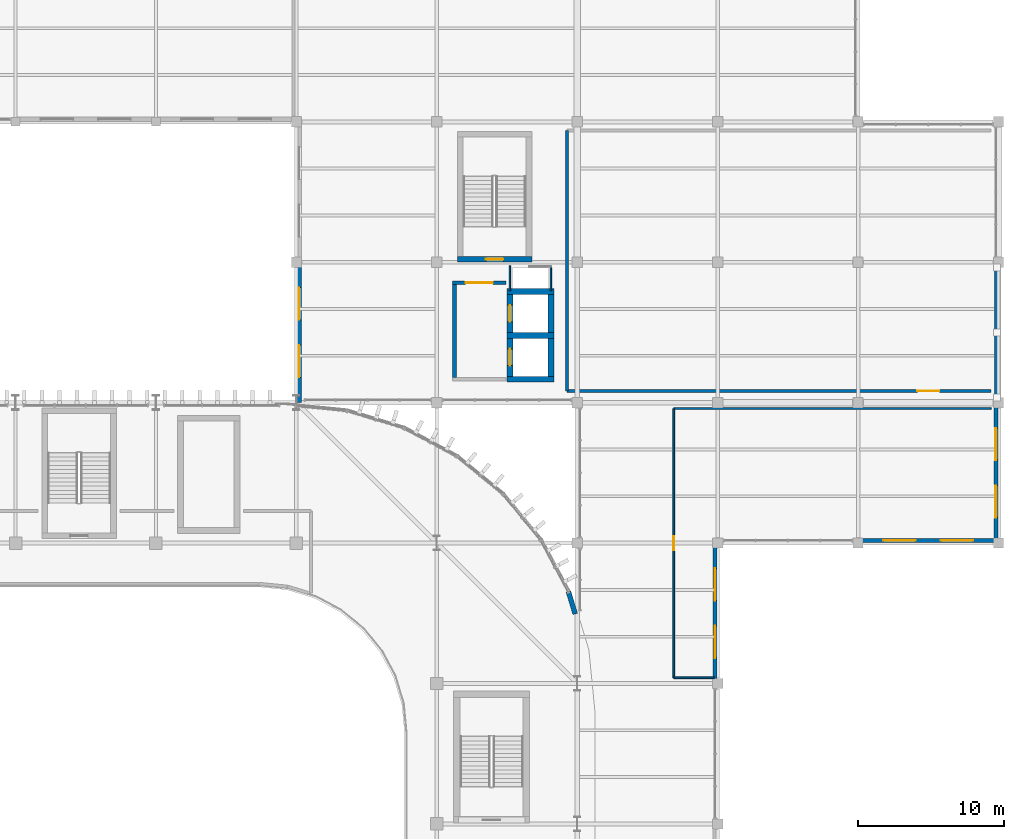
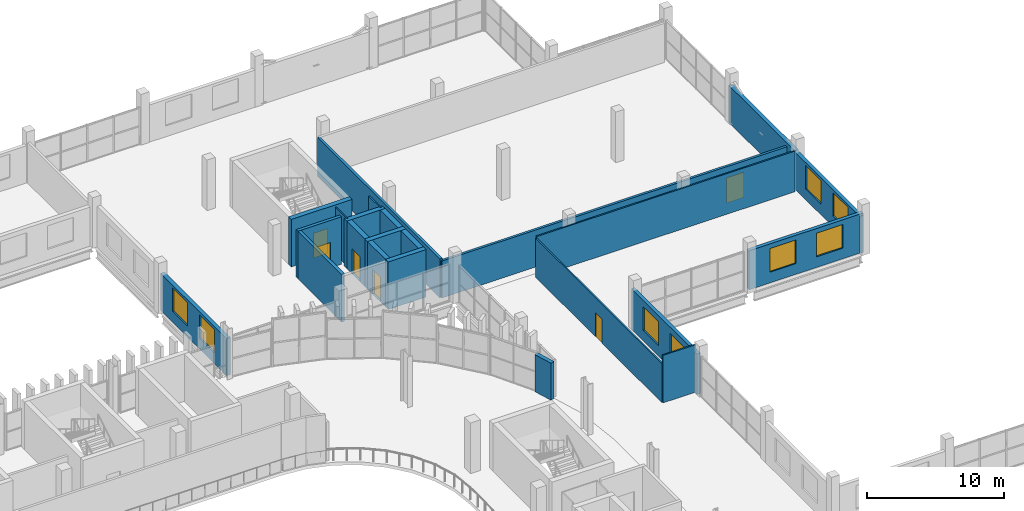
# One storey, part 63 of 92: 23 walls, 8 windows, 6 doors, 14 openings.
"""IFC4 building model written with IfcOpenShell, lengths in metres."""

from ifc_helpers import new_model, si_unit, direction, frame, frame_2d, origin, place, context, subcontext, project, spatial, rectangle, extrude, material, layer, layer_set, type_object, element, fill, save


model = new_model("IFC4")

# Units and contexts
model_context = context("Model", 3, precision=1e-05, world=origin(), true_north=direction((0.0, 1.0)))
body_context = subcontext(model_context, "Body", "Model", "MODEL_VIEW")
ifc_project = project(units=[si_unit("LENGTHUNIT", "METRE"), si_unit("AREAUNIT", "SQUARE_METRE"), si_unit("VOLUMEUNIT", "CUBIC_METRE"), si_unit("PLANEANGLEUNIT", "RADIAN"), si_unit("MASSUNIT", "GRAM", prefix="KILO")], contexts=[model_context])

# Site, building, storey
site_placement = place(None, origin())
site = spatial("IfcSite", under=ifc_project, at=site_placement, CompositionType="ELEMENT")
building_placement = place(site_placement, origin())
building = spatial("IfcBuilding", under=site, at=building_placement, Name="Caelomonte Colonnade Arena", CompositionType="ELEMENT")
storey_placement = place(building_placement, frame((0.0, 0.0, 9.60009765625)))
storey = spatial("IfcBuildingStorey", under=building, at=storey_placement, Name="L02", CompositionType="ELEMENT", Elevation=9.60009765625)

# Wall, openings, windows
ifc_material_1 = material(Name="Precast concrete C40/50", Category="concrete")
ifc_layer_1 = layer(ifc_material_1, 0.2900390625)
ifc_layer_set_1 = layer_set([ifc_layer_1], Name="Precast concrete C40/50")
wall_type_1 = type_object("IfcWallType", Name="ENV-WL-EXT29", PredefinedType="SOLIDWALL", material=ifc_layer_set_1)
wall_1_placement = place(storey_placement, frame((172.6201171875, 96.0, 0.0), z_axis=(0.0, 0.0, 1.0), x_axis=(0.0, 1.0, 0.0)))
wall_1 = element("IfcWall", 1, at=wall_1_placement, inside=storey, type_object=wall_type_1, Name="L02 exterior wall EW-L02-0254", PredefinedType="SOLIDWALL", context=body_context, shape_type="SweptSolid", body=[
    extrude(rectangle(XDim=9.60009765625, YDim=0.2900390625, at=frame_2d((4.800048828125, 0.0))), origin(), (0.0, 0.0, 1.0), 3.61279296875),
])
opening_1_placement = place(wall_1_placement, frame((3.933349609375, 0.0, 0.949951171875), z_axis=(0.0, 0.0, 1.0), x_axis=(-1.0, 0.0, 0.0)))
opening_1 = element("IfcOpeningElement", 2, at=opening_1_placement, cuts=wall_1, Name="Opening WN-05", PredefinedType="OPENING", context=body_context, shape_type="SweptSolid", body=[
    extrude(rectangle(XDim=2.199951171875, YDim=2.10009765625, at=frame_2d((1.10009765625, 1.050048828125))), frame((0.0, 0.155029296875, 0.0), z_axis=(0.0, -1.0, 0.0), x_axis=(1.0, 0.0, 0.0)), (0.0, 0.0, 1.0), 0.31005859375),
])
opening_2_placement = place(wall_1_placement, frame((7.86669921875, 0.0, 0.949951171875), z_axis=(0.0, 0.0, 1.0), x_axis=(-1.0, 0.0, 0.0)))
opening_2 = element("IfcOpeningElement", 3, at=opening_2_placement, cuts=wall_1, Name="Opening WN-05", PredefinedType="OPENING", context=body_context, shape_type="SweptSolid", body=[
    extrude(rectangle(XDim=2.199951171875, YDim=2.10009765625, at=frame_2d((1.10009765625, 1.050048828125))), frame((0.0, 0.155029296875, 0.0), z_axis=(0.0, -1.0, 0.0), x_axis=(1.0, 0.0, 0.0)), (0.0, 0.0, 1.0), 0.31005859375),
])
ifc_material_2 = material(Name="Solar-control bronze low-E double glazing", Category="glass")
window_type = type_object("IfcWindowType", Name="ENV-WN-V4B", PartitioningType="DOUBLE_PANEL_VERTICAL", PredefinedType="WINDOW", material=ifc_material_2)
window_1_placement = place(opening_1_placement, origin())
window_1 = element("IfcWindow", 4, at=window_1_placement, inside=storey, type_object=window_type, Name="L02 facade window 174", OverallHeight=2.10009765625, OverallWidth=2.199951171875, PartitioningType="SINGLE_PANEL", PredefinedType="WINDOW", context=body_context, shape_type="SweptSolid", body=[
    extrude(rectangle(XDim=2.199951171875, YDim=2.10009765625, at=frame_2d((1.10009765625, 1.050048828125))), frame((0.0, 0.030029296875, 0.0), z_axis=(0.0, -1.0, 0.0), x_axis=(1.0, 0.0, 0.0)), (0.0, 0.0, 1.0), 0.06005859375),
])
fill(opening_1, window_1)
window_2_placement = place(opening_2_placement, origin())
window_2 = element("IfcWindow", 5, at=window_2_placement, inside=storey, type_object=window_type, Name="L02 facade window 175", OverallHeight=2.10009765625, OverallWidth=2.199951171875, PartitioningType="SINGLE_PANEL", PredefinedType="WINDOW", context=body_context, shape_type="SweptSolid", body=[
    extrude(rectangle(XDim=2.199951171875, YDim=2.10009765625, at=frame_2d((1.10009765625, 1.050048828125))), frame((0.0, 0.030029296875, 0.0), z_axis=(0.0, -1.0, 0.0), x_axis=(1.0, 0.0, 0.0)), (0.0, 0.0, 1.0), 0.06005859375),
])
fill(opening_2, window_2)

wall_2_placement = place(storey_placement, frame((182.39990234375, 105.780029296875, 0.0), z_axis=(0.0, 0.0, 1.0), x_axis=(1.0, 0.0, 0.0)))
wall_2 = element("IfcWall", 6, at=wall_2_placement, inside=storey, type_object=wall_type_1, Name="L02 exterior wall EW-L02-0255", PredefinedType="SOLIDWALL", context=body_context, shape_type="SweptSolid", body=[
    extrude(rectangle(XDim=9.60009765625, YDim=0.2900390625, at=frame_2d((4.800048828125, 0.0))), origin(), (0.0, 0.0, 1.0), 3.465576171875),
])
opening_3_placement = place(wall_2_placement, frame((3.933349609375, 0.0, 0.949951171875), z_axis=(0.0, 0.0, 1.0), x_axis=(-1.0, 0.0, 0.0)))
opening_3 = element("IfcOpeningElement", 7, at=opening_3_placement, cuts=wall_2, Name="Opening WN-05", PredefinedType="OPENING", context=body_context, shape_type="SweptSolid", body=[
    extrude(rectangle(XDim=2.199951171875, YDim=2.10009765625, at=frame_2d((1.10009765625, 1.050048828125))), frame((0.0, 0.155029296875, 0.0), z_axis=(0.0, -1.0, 0.0), x_axis=(1.0, 0.0, 0.0)), (0.0, 0.0, 1.0), 0.31005859375),
])
opening_4_placement = place(wall_2_placement, frame((7.86669921875, 0.0, 0.949951171875), z_axis=(0.0, 0.0, 1.0), x_axis=(-1.0, 0.0, 0.0)))
opening_4 = element("IfcOpeningElement", 8, at=opening_4_placement, cuts=wall_2, Name="Opening WN-05", PredefinedType="OPENING", context=body_context, shape_type="SweptSolid", body=[
    extrude(rectangle(XDim=2.199951171875, YDim=2.10009765625, at=frame_2d((1.10009765625, 1.050048828125))), frame((0.0, 0.155029296875, 0.0), z_axis=(0.0, -1.0, 0.0), x_axis=(1.0, 0.0, 0.0)), (0.0, 0.0, 1.0), 0.31005859375),
])
window_3_placement = place(opening_3_placement, origin())
window_3 = element("IfcWindow", 9, at=window_3_placement, inside=storey, type_object=window_type, Name="L02 facade window 176", OverallHeight=2.10009765625, OverallWidth=2.199951171875, PartitioningType="SINGLE_PANEL", PredefinedType="WINDOW", context=body_context, shape_type="SweptSolid", body=[
    extrude(rectangle(XDim=2.199951171875, YDim=2.10009765625, at=frame_2d((1.10009765625, 1.050048828125))), frame((0.0, 0.030029296875, 0.0), z_axis=(0.0, -1.0, 0.0), x_axis=(1.0, 0.0, 0.0)), (0.0, 0.0, 1.0), 0.06005859375),
])
fill(opening_3, window_3)
window_4_placement = place(opening_4_placement, origin())
window_4 = element("IfcWindow", 10, at=window_4_placement, inside=storey, type_object=window_type, Name="L02 facade window 177", OverallHeight=2.10009765625, OverallWidth=2.199951171875, PartitioningType="SINGLE_PANEL", PredefinedType="WINDOW", context=body_context, shape_type="SweptSolid", body=[
    extrude(rectangle(XDim=2.199951171875, YDim=2.10009765625, at=frame_2d((1.10009765625, 1.050048828125))), frame((0.0, 0.030029296875, 0.0), z_axis=(0.0, -1.0, 0.0), x_axis=(1.0, 0.0, 0.0)), (0.0, 0.0, 1.0), 0.06005859375),
])
fill(opening_4, window_4)

wall_3_placement = place(storey_placement, frame((191.820068359375, 105.60009765625, 0.0), z_axis=(0.0, 0.0, 1.0), x_axis=(0.0, 1.0, 0.0)))
wall_3 = element("IfcWall", 11, at=wall_3_placement, inside=storey, type_object=wall_type_1, Name="L02 exterior wall EW-L02-0256", PredefinedType="SOLIDWALL", context=body_context, shape_type="SweptSolid", body=[
    extrude(rectangle(XDim=9.599853515625, YDim=0.2900390625, at=frame_2d((4.7998046875, 0.0))), origin(), (0.0, 0.0, 1.0), 3.29296875),
])
opening_5_placement = place(wall_3_placement, frame((3.933349609375, 0.0, 0.949951171875), z_axis=(0.0, 0.0, 1.0), x_axis=(-1.0, 0.0, 0.0)))
opening_5 = element("IfcOpeningElement", 12, at=opening_5_placement, cuts=wall_3, Name="Opening WN-05", PredefinedType="OPENING", context=body_context, shape_type="SweptSolid", body=[
    extrude(rectangle(XDim=2.199951171875, YDim=2.10009765625, at=frame_2d((1.10009765625, 1.050048828125))), frame((0.0, 0.155029296875, 0.0), z_axis=(0.0, -1.0, 0.0), x_axis=(1.0, 0.0, 0.0)), (0.0, 0.0, 1.0), 0.31005859375),
])
opening_6_placement = place(wall_3_placement, frame((7.86669921875, 0.0, 0.949951171875), z_axis=(0.0, 0.0, 1.0), x_axis=(-1.0, 0.0, 0.0)))
opening_6 = element("IfcOpeningElement", 13, at=opening_6_placement, cuts=wall_3, Name="Opening WN-05", PredefinedType="OPENING", context=body_context, shape_type="SweptSolid", body=[
    extrude(rectangle(XDim=2.199951171875, YDim=2.10009765625, at=frame_2d((1.10009765625, 1.050048828125))), frame((0.0, 0.155029296875, 0.0), z_axis=(0.0, -1.0, 0.0), x_axis=(1.0, 0.0, 0.0)), (0.0, 0.0, 1.0), 0.31005859375),
])
window_5_placement = place(opening_5_placement, origin())
window_5 = element("IfcWindow", 14, at=window_5_placement, inside=storey, type_object=window_type, Name="L02 facade window 178", OverallHeight=2.10009765625, OverallWidth=2.199951171875, PartitioningType="SINGLE_PANEL", PredefinedType="WINDOW", context=body_context, shape_type="SweptSolid", body=[
    extrude(rectangle(XDim=2.199951171875, YDim=2.10009765625, at=frame_2d((1.10009765625, 1.050048828125))), frame((0.0, 0.030029296875, 0.0), z_axis=(0.0, -1.0, 0.0), x_axis=(1.0, 0.0, 0.0)), (0.0, 0.0, 1.0), 0.06005859375),
])
fill(opening_5, window_5)
window_6_placement = place(opening_6_placement, origin())
window_6 = element("IfcWindow", 15, at=window_6_placement, inside=storey, type_object=window_type, Name="L02 facade window 179", OverallHeight=2.10009765625, OverallWidth=2.199951171875, PartitioningType="SINGLE_PANEL", PredefinedType="WINDOW", context=body_context, shape_type="SweptSolid", body=[
    extrude(rectangle(XDim=2.199951171875, YDim=2.10009765625, at=frame_2d((1.10009765625, 1.050048828125))), frame((0.0, 0.030029296875, 0.0), z_axis=(0.0, -1.0, 0.0), x_axis=(1.0, 0.0, 0.0)), (0.0, 0.0, 1.0), 0.06005859375),
])
fill(opening_6, window_6)

# Wall
ifc_layer_2 = layer(ifc_material_1, 0.330078125)
ifc_layer_set_2 = layer_set([ifc_layer_2], Name="Precast concrete C40/50")
wall_type_2 = type_object("IfcWallType", Name="ENV-WL-EXT33", PredefinedType="SOLIDWALL", material=ifc_layer_set_2)
wall_4_placement = place(storey_placement, frame((191.89990234375, 115.199951171875, 0.0), z_axis=(0.0, 0.0, 1.0), x_axis=(0.0, 1.0, 0.0)))
element("IfcWall", 16, at=wall_4_placement, inside=storey, type_object=wall_type_2, Name="L02 exterior wall EW-L02-0257", PredefinedType="SOLIDWALL", context=body_context, shape_type="SweptSolid", body=[
    extrude(rectangle(XDim=9.60009765625, YDim=0.330078125, at=frame_2d((4.800048828125, 0.0))), origin(), (0.0, 0.0, 1.0), 3.29296875),
])

# Wall, openings, windows
wall_5_placement = place(storey_placement, frame((144.179931640625, 124.800048828125, 0.0), z_axis=(0.0, 0.0, 1.0), x_axis=(0.0, -1.0, 0.0)))
wall_5 = element("IfcWall", 17, at=wall_5_placement, inside=storey, type_object=wall_type_2, Name="L02 exterior wall EW-L02-0275", PredefinedType="SOLIDWALL", context=body_context, shape_type="SweptSolid", body=[
    extrude(rectangle(XDim=9.60009765625, YDim=0.330078125, at=frame_2d((4.800048828125, 0.0))), origin(), (0.0, 0.0, 1.0), 3.29296875),
])
opening_7_placement = place(wall_5_placement, frame((3.933349609375, 0.0, 0.949951171875), z_axis=(0.0, 0.0, 1.0), x_axis=(-1.0, 0.0, 0.0)))
opening_7 = element("IfcOpeningElement", 18, at=opening_7_placement, cuts=wall_5, Name="Opening WN-05", PredefinedType="OPENING", context=body_context, shape_type="SweptSolid", body=[
    extrude(rectangle(XDim=2.199951171875, YDim=2.10009765625, at=frame_2d((1.10009765625, 1.050048828125))), frame((0.0, 0.175048828125, 0.0), z_axis=(0.0, -1.0, 0.0), x_axis=(1.0, 0.0, 0.0)), (0.0, 0.0, 1.0), 0.35009765625),
])
opening_8_placement = place(wall_5_placement, frame((7.86669921875, 0.0, 0.949951171875), z_axis=(0.0, 0.0, 1.0), x_axis=(-1.0, 0.0, 0.0)))
opening_8 = element("IfcOpeningElement", 19, at=opening_8_placement, cuts=wall_5, Name="Opening WN-05", PredefinedType="OPENING", context=body_context, shape_type="SweptSolid", body=[
    extrude(rectangle(XDim=2.199951171875, YDim=2.10009765625, at=frame_2d((1.10009765625, 1.050048828125))), frame((0.0, 0.175048828125, 0.0), z_axis=(0.0, -1.0, 0.0), x_axis=(1.0, 0.0, 0.0)), (0.0, 0.0, 1.0), 0.35009765625),
])
window_7_placement = place(opening_7_placement, origin())
window_7 = element("IfcWindow", 20, at=window_7_placement, inside=storey, type_object=window_type, Name="L02 facade window 209", OverallHeight=2.10009765625, OverallWidth=2.199951171875, PartitioningType="SINGLE_PANEL", PredefinedType="WINDOW", context=body_context, shape_type="SweptSolid", body=[
    extrude(rectangle(XDim=2.199951171875, YDim=2.10009765625, at=frame_2d((1.10009765625, 1.050048828125))), frame((0.0, 0.030029296875, 0.0), z_axis=(0.0, -1.0, 0.0), x_axis=(1.0, 0.0, 0.0)), (0.0, 0.0, 1.0), 0.06005859375),
])
fill(opening_7, window_7)
window_8_placement = place(opening_8_placement, origin())
window_8 = element("IfcWindow", 21, at=window_8_placement, inside=storey, type_object=window_type, Name="L02 facade window 210", OverallHeight=2.10009765625, OverallWidth=2.199951171875, PartitioningType="SINGLE_PANEL", PredefinedType="WINDOW", context=body_context, shape_type="SweptSolid", body=[
    extrude(rectangle(XDim=2.199951171875, YDim=2.10009765625, at=frame_2d((1.10009765625, 1.050048828125))), frame((0.0, 0.030029296875, 0.0), z_axis=(0.0, -1.0, 0.0), x_axis=(1.0, 0.0, 0.0)), (0.0, 0.0, 1.0), 0.06005859375),
])
fill(opening_8, window_8)

# Wall
wall_6_placement = place(storey_placement, frame((163.06201171875, 100.75732421875, 0.0), z_axis=(0.0, 0.0, 1.0), x_axis=(-0.290196653702, 0.956967032964, 0.0)))
element("IfcWall", 22, at=wall_6_placement, inside=storey, type_object=wall_type_2, Name="L02 exterior wall EW-L02-0276", PredefinedType="SOLIDWALL", context=body_context, shape_type="SweptSolid", body=[
    extrude(rectangle(XDim=1.611083984375, YDim=0.330078125, at=frame_2d((0.8056640625, 0.0))), origin(), (0.0, 0.0, 1.0), 3.29296875),
])

# Wall, opening, door
ifc_material_3 = material(Name="Concrete C40/50", Category="concrete")
ifc_layer_3 = layer(ifc_material_3, 0.260009765625)
ifc_layer_set_3 = layer_set([ifc_layer_3], Name="Concrete C40/50")
wall_type_3 = type_object("IfcWallType", Name="INT-WL-FW26", PredefinedType="SOLIDWALL", material=ifc_layer_set_3)
wall_7_placement = place(storey_placement, frame((158.330078125, 123.39990234375, 0.0), z_axis=(0.0, 0.0, 1.0), x_axis=(-1.0, 0.0, 0.0)))
wall_7 = element("IfcWall", 23, at=wall_7_placement, inside=storey, type_object=wall_type_3, Name="FW-C6-LB L02 north enclosure wall", PredefinedType="SOLIDWALL", context=body_context, shape_type="SweptSolid", body=[
    extrude(rectangle(XDim=3.66015625, YDim=0.260009765625, at=frame_2d((1.830078125, 0.0))), origin(), (0.0, 0.0, 1.0), 4.219970703125),
])
opening_9_placement = place(wall_7_placement, frame((2.755126953125, 0.0, 0.0), z_axis=(0.0, 0.0, 1.0), x_axis=(-1.0, 0.0, 0.0)))
opening_9 = element("IfcOpeningElement", 24, at=opening_9_placement, cuts=wall_7, Name="Opening FD-2", PredefinedType="OPENING", context=body_context, shape_type="SweptSolid", body=[
    extrude(rectangle(XDim=1.85009765625, YDim=2.25, at=frame_2d((0.925048828125, 1.125))), frame((0.0, 0.139892578125, 0.0), z_axis=(0.0, -1.0, 0.0), x_axis=(1.0, 0.0, 0.0)), (0.0, 0.0, 1.0), 0.280029296875),
])
ifc_material_4 = material(Name="Fire-rated double steel door", Category="steel")
door_type_1 = type_object("IfcDoorType", Name="INT-DR-FD90B", OperationType="DOUBLE_DOOR_SINGLE_SWING", PredefinedType="DOOR", material=ifc_material_4)
door_1_placement = place(opening_9_placement, origin())
door_1 = element("IfcDoor", 25, at=door_1_placement, inside=storey, type_object=door_type_1, Name="Core C6 L02 lobby fire door", OperationType="DOUBLE_DOOR_SINGLE_SWING", OverallHeight=2.25, OverallWidth=1.85009765625, PredefinedType="DOOR", context=body_context, shape_type="SweptSolid", body=[
    extrude(rectangle(XDim=1.85009765625, YDim=2.25, at=frame_2d((0.925048828125, 1.125))), frame((0.0, 0.02490234375, 0.0), z_axis=(0.0, -1.0, 0.0), x_axis=(1.0, 0.0, 0.0)), (0.0, 0.0, 1.0), 0.050048828125),
])
fill(opening_9, door_1)

# Walls
wall_8_placement = place(storey_placement, frame((154.800048828125, 123.27001953125, 0.0), z_axis=(0.0, 0.0, 1.0), x_axis=(0.0, -1.0, 0.0)))
element("IfcWall", 26, at=wall_8_placement, inside=storey, type_object=wall_type_3, Name="FW-C6-LB L02 west enclosure wall", PredefinedType="SOLIDWALL", context=body_context, shape_type="SweptSolid", body=[
    extrude(rectangle(XDim=6.340087890625, YDim=0.260009765625, at=frame_2d((3.169921875, 0.0))), origin(), (0.0, 0.0, 1.0), 4.219970703125),
])
ifc_material_5 = material(Name="Service shaft lining partition")
ifc_layer_4 = layer(ifc_material_5, 0.10009765625)
ifc_layer_set_4 = layer_set([ifc_layer_4], Name="Service shaft lining partition")
wall_type_4 = type_object("IfcWallType", Name="INT-WL-PT10", PredefinedType="PARTITIONING", material=ifc_layer_set_4)
for number, where, z_axis, x_axis, name in (
    (27, (158.60009765625, 124.550048828125, 0.0), (0.0, 0.0, 1.0), (0.0, -1.0, 0.0), "FW-C6-RS L02 west enclosure wall"),
    (28, (161.39990234375, 122.85009765625, 0.0), (0.0, 0.0, 1.0), (0.0, 1.0, 0.0), "FW-C6-RS L02 east enclosure wall"),
):
    element("IfcWall", number, at=place(storey_placement, frame(where, z_axis=z_axis, x_axis=x_axis)), inside=storey, type_object=wall_type_4, Name=name, PredefinedType="PARTITIONING", context=body_context, shape_type="SweptSolid", body=[
        extrude(rectangle(XDim=1.699951171875, YDim=0.10009765625, at=frame_2d((0.85009765625, 0.0))), origin(), (0.0, 0.0, 1.0), 4.219970703125),
    ])
ifc_material_6 = material(Name="Office gypsum stud partition")
ifc_layer_5 = layer(ifc_material_6, 0.1201171875)
ifc_layer_set_5 = layer_set([ifc_layer_5], Name="Office gypsum stud partition")
wall_type_5 = type_object("IfcWallType", Name="INT-WL-PT12", PredefinedType="PARTITIONING", material=ifc_layer_set_5)
wall_9_placement = place(storey_placement, frame((172.580078125, 96.39990234375, 0.0), z_axis=(0.0, 0.0, 1.0), x_axis=(-1.0, 0.0, 0.0)))
element("IfcWall", 29, at=wall_9_placement, inside=storey, type_object=wall_type_5, Name="L02 Club Sommelier Pantry partition 196", PredefinedType="PARTITIONING", context=body_context, shape_type="SweptSolid", body=[
    extrude(rectangle(XDim=2.780029296875, YDim=0.1201171875, at=frame_2d((1.39013671875, 0.0))), origin(), (0.0, 0.0, 1.0), 4.219970703125),
])

# Wall, opening, door
wall_10_placement = place(storey_placement, frame((169.800048828125, 96.39990234375, 0.0), z_axis=(0.0, 0.0, 1.0), x_axis=(0.0, 1.0, 0.0)))
wall_10 = element("IfcWall", 30, at=wall_10_placement, inside=storey, type_object=wall_type_5, Name="L02 Club Sommelier Pantry partition 197", PredefinedType="PARTITIONING", context=body_context, shape_type="SweptSolid", body=[
    extrude(rectangle(XDim=18.400146484375, YDim=0.1201171875, at=frame_2d((9.2001953125, 0.0))), origin(), (0.0, 0.0, 1.0), 3.465576171875),
])
opening_10_placement = place(wall_10_placement, frame((8.72509765625, 0.0, 0.0), z_axis=(0.0, 0.0, 1.0), x_axis=(1.0, 0.0, 0.0)))
opening_10 = element("IfcOpeningElement", 31, at=opening_10_placement, cuts=wall_10, Name="Opening D-L02-058", PredefinedType="OPENING", context=body_context, shape_type="SweptSolid", body=[
    extrude(rectangle(XDim=0.949951171875, YDim=2.14990234375, at=frame_2d((0.47509765625, 1.074951171875))), frame((0.0, 0.070068359375, 0.0), z_axis=(0.0, -1.0, 0.0), x_axis=(1.0, 0.0, 0.0)), (0.0, 0.0, 1.0), 0.14013671875),
])
ifc_material_7 = material(Name="Solid-core timber office door", Category="wood")
door_type_2 = type_object("IfcDoorType", Name="INT-DR-OFF", OperationType="NOTDEFINED", PredefinedType="DOOR", material=ifc_material_7)
door_2_placement = place(opening_10_placement, origin())
door_2 = element("IfcDoor", 32, at=door_2_placement, inside=storey, type_object=door_type_2, Name="L02 Club Sommelier Pantry door D-L02-058", OperationType="SINGLE_SWING_LEFT", OverallHeight=2.14990234375, OverallWidth=0.949951171875, PredefinedType="DOOR", context=body_context, shape_type="SweptSolid", body=[
    extrude(rectangle(XDim=0.949951171875, YDim=2.14990234375, at=frame_2d((0.47509765625, 1.074951171875))), frame((0.0, 0.02490234375, 0.0), z_axis=(0.0, -1.0, 0.0), x_axis=(1.0, 0.0, 0.0)), (0.0, 0.0, 1.0), 0.050048828125),
])
fill(opening_10, door_2)

# Wall
wall_11_placement = place(storey_placement, frame((169.800048828125, 114.800048828125, 0.0), z_axis=(0.0, 0.0, 1.0), x_axis=(1.0, 0.0, 0.0)))
element("IfcWall", 33, at=wall_11_placement, inside=storey, type_object=wall_type_5, Name="L02 Club Sommelier Pantry partition 198", PredefinedType="PARTITIONING", context=body_context, shape_type="SweptSolid", body=[
    extrude(rectangle(XDim=21.699951171875, YDim=0.1201171875, at=frame_2d((10.85009765625, 0.0))), origin(), (0.0, 0.0, 1.0), 3.61279296875),
])

# Wall, opening, door
ifc_material_8 = material(Name="Fire-rated gypsum stud partition")
ifc_layer_6 = layer(ifc_material_8, 0.199951171875)
ifc_layer_set_6 = layer_set([ifc_layer_6], Name="Fire-rated gypsum stud partition")
wall_type_6 = type_object("IfcWallType", Name="INT-WL-PT20", PredefinedType="PARTITIONING", material=ifc_layer_set_6)
wall_12_placement = place(storey_placement, frame((191.5, 116.0, 0.0), z_axis=(0.0, 0.0, 1.0), x_axis=(-1.0, 0.0, 0.0)))
wall_12 = element("IfcWall", 34, at=wall_12_placement, inside=storey, type_object=wall_type_6, Name="L02 Panamanian Civic Salon partition 190", PredefinedType="PARTITIONING", context=body_context, shape_type="SweptSolid", body=[
    extrude(rectangle(XDim=29.0, YDim=0.199951171875, at=frame_2d((14.5, 0.0))), origin(), (0.0, 0.0, 1.0), 3.29296875),
])
opening_11_placement = place(wall_12_placement, frame((3.550048828125, 0.0, 0.0), z_axis=(0.0, 0.0, 1.0), x_axis=(1.0, 0.0, 0.0)))
opening_11 = element("IfcOpeningElement", 35, at=opening_11_placement, cuts=wall_12, Name="Opening D-L02-055", PredefinedType="OPENING", context=body_context, shape_type="SweptSolid", body=[
    extrude(rectangle(XDim=1.5, YDim=2.25, at=frame_2d((0.75, 1.125))), frame((0.0, 0.10986328125, 0.0), z_axis=(0.0, -1.0, 0.0), x_axis=(1.0, 0.0, 0.0)), (0.0, 0.0, 1.0), 0.219970703125),
])
ifc_material_9 = material(Name="Hardwood double club lounge door", Category="wood")
door_type_3 = type_object("IfcDoorType", Name="INT-DR-SU2", OperationType="DOUBLE_DOOR_SINGLE_SWING", PredefinedType="DOOR", material=ifc_material_9)
door_3_placement = place(opening_11_placement, origin())
door_3 = element("IfcDoor", 36, at=door_3_placement, inside=storey, type_object=door_type_3, Name="L02 Panamanian Civic Salon door D-L02-055", OperationType="DOUBLE_DOOR_SINGLE_SWING", OverallHeight=2.25, OverallWidth=1.5, PredefinedType="DOOR", context=body_context, shape_type="SweptSolid", body=[
    extrude(rectangle(XDim=1.5, YDim=2.25, at=frame_2d((0.75, 1.125))), frame((0.0, 0.02490234375, 0.0), z_axis=(0.0, -1.0, 0.0), x_axis=(1.0, 0.0, 0.0)), (0.0, 0.0, 1.0), 0.050048828125),
])
fill(opening_11, door_3)

# Wall
wall_13_placement = place(storey_placement, frame((162.5, 116.0, 0.0), z_axis=(0.0, 0.0, 1.0), x_axis=(0.0, 1.0, 0.0)))
element("IfcWall", 37, at=wall_13_placement, inside=storey, type_object=wall_type_6, Name="L02 Panamanian Civic Salon partition 191", PredefinedType="PARTITIONING", context=body_context, shape_type="SweptSolid", body=[
    extrude(rectangle(XDim=17.800048828125, YDim=0.199951171875, at=frame_2d((8.89990234375, 0.0))), origin(), (0.0, 0.0, 1.0), 3.465576171875),
])

# Wall, opening, door
ifc_material_10 = material(Name="Concrete C50/60", Category="concrete")
ifc_layer_7 = layer(ifc_material_10, 0.39990234375)
ifc_layer_set_7 = layer_set([ifc_layer_7], Name="Concrete C50/60")
wall_type_7 = type_object("IfcWallType", Name="INT-WL-SH40", PredefinedType="SHEAR", material=ifc_layer_set_7)
wall_14_placement = place(storey_placement, frame((155.0, 125.0, 0.0), z_axis=(0.0, 0.0, 1.0), x_axis=(1.0, 0.0, 0.0)))
wall_14 = element("IfcWall", 38, at=wall_14_placement, inside=storey, type_object=wall_type_7, Name="CW-C6-ST L02 south enclosure wall", PredefinedType="SHEAR", context=body_context, shape_type="SweptSolid", body=[
    extrude(rectangle(XDim=5.10009765625, YDim=0.39990234375, at=frame_2d((2.550048828125, 0.0))), origin(), (0.0, 0.0, 1.0), 4.219970703125),
])
opening_12_placement = place(wall_14_placement, frame((3.14990234375, 0.0, 0.0), z_axis=(0.0, 0.0, 1.0), x_axis=(-1.0, 0.0, 0.0)))
opening_12 = element("IfcOpeningElement", 39, at=opening_12_placement, cuts=wall_14, Name="Opening FD-1", PredefinedType="OPENING", context=body_context, shape_type="SweptSolid", body=[
    extrude(rectangle(XDim=1.199951171875, YDim=2.199951171875, at=frame_2d((0.60009765625, 1.10009765625))), frame((0.0, 0.2099609375, 0.0), z_axis=(0.0, -1.0, 0.0), x_axis=(1.0, 0.0, 0.0)), (0.0, 0.0, 1.0), 0.419921875),
])
ifc_material_11 = material(Name="Fire-rated steel door", Category="steel")
door_type_4 = type_object("IfcDoorType", Name="INT-DR-FD90A", OperationType="NOTDEFINED", PredefinedType="DOOR", material=ifc_material_11)
door_4_placement = place(opening_12_placement, origin())
door_4 = element("IfcDoor", 40, at=door_4_placement, inside=storey, type_object=door_type_4, Name="Core C6 L02 exit stair fire door", OperationType="SINGLE_SWING_LEFT", OverallHeight=2.199951171875, OverallWidth=1.199951171875, PredefinedType="DOOR", context=body_context, shape_type="SweptSolid", body=[
    extrude(rectangle(XDim=1.199951171875, YDim=2.199951171875, at=frame_2d((0.60009765625, 1.10009765625))), frame((0.0, 0.02490234375, 0.0), z_axis=(0.0, -1.0, 0.0), x_axis=(1.0, 0.0, 0.0)), (0.0, 0.0, 1.0), 0.050048828125),
])
fill(opening_12, door_4)

# Walls
for number, where, z_axis, x_axis, name in (
    (41, (158.39990234375, 116.800048828125, 0.0), (0.0, 0.0, 1.0), (1.0, 0.0, 0.0), "CW-C6-LF L02 south enclosure wall"),
    (42, (161.60009765625, 119.800048828125, 0.0), (0.0, 0.0, 1.0), (-1.0, 0.0, 0.0), "CW-C6-LF L02 north enclosure wall"),
):
    element("IfcWall", number, at=place(storey_placement, frame(where, z_axis=z_axis, x_axis=x_axis)), inside=storey, type_object=wall_type_7, Name=name, PredefinedType="SHEAR", context=body_context, shape_type="SweptSolid", body=[
        extrude(rectangle(XDim=3.2001953125, YDim=0.39990234375, at=frame_2d((1.60009765625, 0.0))), origin(), (0.0, 0.0, 1.0), 4.219970703125),
    ])

# Wall, opening, door
wall_15_placement = place(storey_placement, frame((158.60009765625, 119.60009765625, 0.0), z_axis=(0.0, 0.0, 1.0), x_axis=(0.0, -1.0, 0.0)))
wall_15 = element("IfcWall", 43, at=wall_15_placement, inside=storey, type_object=wall_type_7, Name="CW-C6-LF L02 west enclosure wall", PredefinedType="SHEAR", context=body_context, shape_type="SweptSolid", body=[
    extrude(rectangle(XDim=2.60009765625, YDim=0.39990234375, at=frame_2d((1.300048828125, 0.0))), origin(), (0.0, 0.0, 1.0), 4.219970703125),
])
opening_13_placement = place(wall_15_placement, frame((0.72509765625, 0.0, 0.0), z_axis=(0.0, 0.0, 1.0), x_axis=(1.0, 0.0, 0.0)))
opening_13 = element("IfcOpeningElement", 44, at=opening_13_placement, cuts=wall_15, Name="Opening LD-LF-03-L02", PredefinedType="OPENING", context=body_context, shape_type="SweptSolid", body=[
    extrude(rectangle(XDim=1.14990234375, YDim=2.199951171875, at=frame_2d((0.574951171875, 1.10009765625))), frame((0.0, 0.2099609375, 0.0), z_axis=(0.0, -1.0, 0.0), x_axis=(1.0, 0.0, 0.0)), (0.0, 0.0, 1.0), 0.419921875),
])
ifc_material_12 = material(Name="Stainless steel lift landing door", Category="steel")
door_type_5 = type_object("IfcDoorType", Name="INT-DR-LD1", OperationType="SLIDING_TO_LEFT", PredefinedType="DOOR", material=ifc_material_12)
door_5_placement = place(opening_13_placement, origin())
door_5 = element("IfcDoor", 45, at=door_5_placement, inside=storey, type_object=door_type_5, Name="Lift LF-03 L02 sliding landing door", OperationType="SLIDING_TO_LEFT", OverallHeight=2.199951171875, OverallWidth=1.14990234375, PredefinedType="DOOR", context=body_context, shape_type="SweptSolid", body=[
    extrude(rectangle(XDim=1.14990234375, YDim=2.199951171875, at=frame_2d((0.574951171875, 1.10009765625))), frame((0.0, 0.02490234375, 0.0), z_axis=(0.0, -1.0, 0.0), x_axis=(1.0, 0.0, 0.0)), (0.0, 0.0, 1.0), 0.050048828125),
])
fill(opening_13, door_5)

# Walls
wall_16_placement = place(storey_placement, frame((161.39990234375, 117.0, 0.0), z_axis=(0.0, 0.0, 1.0), x_axis=(0.0, 1.0, 0.0)))
element("IfcWall", 46, at=wall_16_placement, inside=storey, type_object=wall_type_7, Name="CW-C6-LF L02 east enclosure wall", PredefinedType="SHEAR", context=body_context, shape_type="SweptSolid", body=[
    extrude(rectangle(XDim=2.60009765625, YDim=0.39990234375, at=frame_2d((1.300048828125, 0.0))), origin(), (0.0, 0.0, 1.0), 4.219970703125),
])
wall_17_placement = place(storey_placement, frame((161.60009765625, 122.800048828125, 0.0), z_axis=(0.0, 0.0, 1.0), x_axis=(-1.0, 0.0, 0.0)))
element("IfcWall", 47, at=wall_17_placement, inside=storey, type_object=wall_type_7, Name="CW-C6-LF2 L02 north enclosure wall", PredefinedType="SHEAR", context=body_context, shape_type="SweptSolid", body=[
    extrude(rectangle(XDim=3.2001953125, YDim=0.39990234375, at=frame_2d((1.60009765625, 0.0))), origin(), (0.0, 0.0, 1.0), 4.219970703125),
])

# Wall, opening, door
wall_18_placement = place(storey_placement, frame((158.60009765625, 122.60009765625, 0.0), z_axis=(0.0, 0.0, 1.0), x_axis=(0.0, -1.0, 0.0)))
wall_18 = element("IfcWall", 48, at=wall_18_placement, inside=storey, type_object=wall_type_7, Name="CW-C6-LF2 L02 west enclosure wall", PredefinedType="SHEAR", context=body_context, shape_type="SweptSolid", body=[
    extrude(rectangle(XDim=2.60009765625, YDim=0.39990234375, at=frame_2d((1.300048828125, 0.0))), origin(), (0.0, 0.0, 1.0), 4.219970703125),
])
opening_14_placement = place(wall_18_placement, frame((0.72509765625, 0.0, 0.0), z_axis=(0.0, 0.0, 1.0), x_axis=(1.0, 0.0, 0.0)))
opening_14 = element("IfcOpeningElement", 49, at=opening_14_placement, cuts=wall_18, Name="Opening LD-LF-04-L02", PredefinedType="OPENING", context=body_context, shape_type="SweptSolid", body=[
    extrude(rectangle(XDim=1.14990234375, YDim=2.199951171875, at=frame_2d((0.574951171875, 1.10009765625))), frame((0.0, 0.2099609375, 0.0), z_axis=(0.0, -1.0, 0.0), x_axis=(1.0, 0.0, 0.0)), (0.0, 0.0, 1.0), 0.419921875),
])
door_6_placement = place(opening_14_placement, origin())
door_6 = element("IfcDoor", 50, at=door_6_placement, inside=storey, type_object=door_type_5, Name="Lift LF-04 L02 sliding landing door", OperationType="SLIDING_TO_LEFT", OverallHeight=2.199951171875, OverallWidth=1.14990234375, PredefinedType="DOOR", context=body_context, shape_type="SweptSolid", body=[
    extrude(rectangle(XDim=1.14990234375, YDim=2.199951171875, at=frame_2d((0.574951171875, 1.10009765625))), frame((0.0, 0.02490234375, 0.0), z_axis=(0.0, -1.0, 0.0), x_axis=(1.0, 0.0, 0.0)), (0.0, 0.0, 1.0), 0.050048828125),
])
fill(opening_14, door_6)

# Wall
wall_19_placement = place(storey_placement, frame((161.39990234375, 120.0, 0.0), z_axis=(0.0, 0.0, 1.0), x_axis=(0.0, 1.0, 0.0)))
element("IfcWall", 51, at=wall_19_placement, inside=storey, type_object=wall_type_7, Name="CW-C6-LF2 L02 east enclosure wall", PredefinedType="SHEAR", context=body_context, shape_type="SweptSolid", body=[
    extrude(rectangle(XDim=2.60009765625, YDim=0.39990234375, at=frame_2d((1.300048828125, 0.0))), origin(), (0.0, 0.0, 1.0), 4.219970703125),
])

save(model, "model.ifc")
